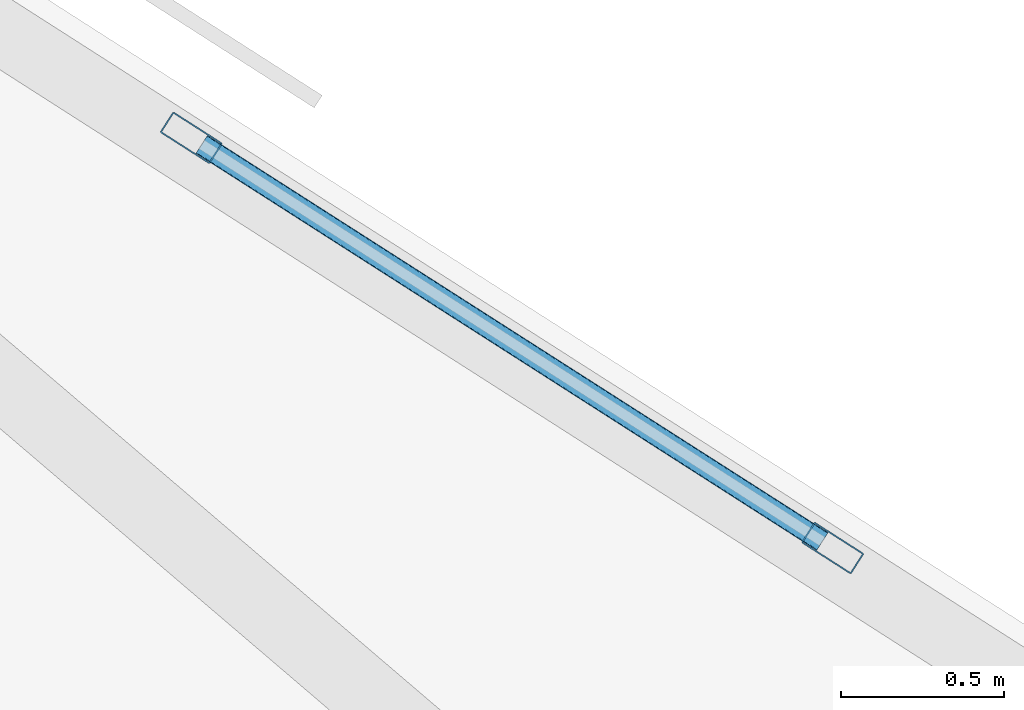
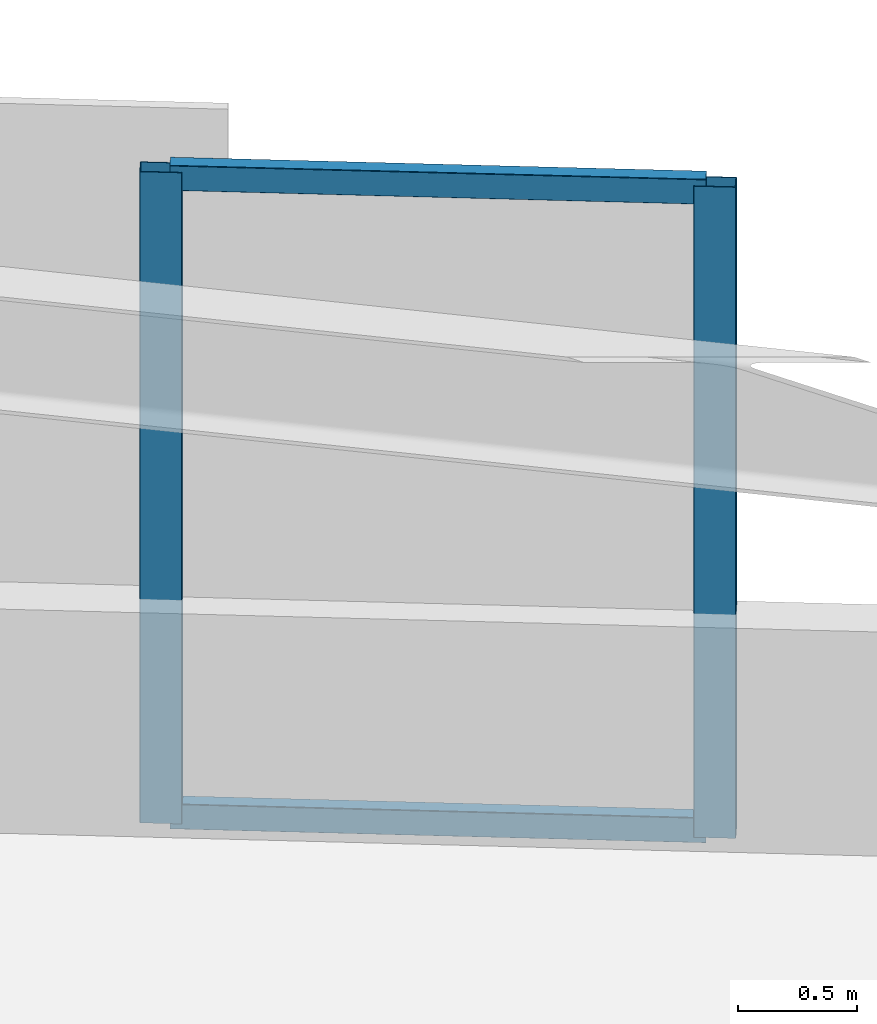
# One storey, part 2 of 15: 4 members, 1 element without a shape of its own.
"""IFC4 building model written with IfcOpenShell, lengths in metres."""

import ifcopenshell
import ifcopenshell.guid

model = None  # the IFC model being written
_history = None  # IfcOwnerHistory: only IFC2X3 demands one
_inside = {}  # id of a spatial element -> (the spatial element, [elements in it])
_under = {}  # id of a project, library or spatial element -> (it, [spatial elements below it])
_declared = {}  # id of a project -> (the project, [libraries it declares])
_typed = {}  # id of a type object -> (the type object, [elements of that type])
_made_of = {}  # id of a material, layer set ... -> (it, [elements and type objects made of it])


def new_model(schema):
    """Start an empty IFC model of exactly this schema.

    Asked for "IFC4X3", IfcOpenShell would pick the latest addendum, in which some entities
    have other attributes; the version numbers below select the first issue.
    IFC2X3 requires an IfcOwnerHistory on every rooted entity: one is made here for all.
    """
    global model, _history
    if schema == "IFC4X3":
        model = ifcopenshell.file(schema_version=(4, 3, 0, 0))
    else:
        model = ifcopenshell.file(schema=schema)
    _inside.clear()
    _under.clear()
    _declared.clear()
    _typed.clear()
    _made_of.clear()
    _history = None
    if model.schema == "IFC2X3":
        org = make("IfcOrganization", Name="unknown")
        user = make(
            "IfcPersonAndOrganization",
            ThePerson=make("IfcPerson", FamilyName="unknown"),
            TheOrganization=org,
        )
        app = make(
            "IfcApplication",
            ApplicationDeveloper=org,
            Version="unknown",
            ApplicationFullName="unknown",
            ApplicationIdentifier="unknown",
        )
        _history = make(
            "IfcOwnerHistory",
            OwningUser=user,
            OwningApplication=app,
            ChangeAction="ADDED",
            CreationDate=0,
        )
    return model


def make(cls, **values):
    """One entity of the class cls with the attributes given. An attribute that is None is left unset."""
    return model.create_entity(
        cls, **{name: value for name, value in values.items() if value is not None}
    )


def rooted(cls, **values):
    """An entity with a GlobalId (a new one), such as an element, a storey or a relation."""
    return make(cls, GlobalId=ifcopenshell.guid.new(), OwnerHistory=_history, **values)


def si_unit(unit_type, name, prefix=None):
    """IfcSIUnit, for example si_unit("LENGTHUNIT", "METRE", prefix="MILLI")."""
    return make("IfcSIUnit", UnitType=unit_type, Prefix=prefix, Name=name)


def assignment(units):
    """IfcUnitAssignment: the units of a project."""
    return None if units is None else make("IfcUnitAssignment", Units=units)


def point(xyz):
    """IfcCartesianPoint."""
    return None if xyz is None else make("IfcCartesianPoint", Coordinates=xyz)


def direction(xyz):
    """IfcDirection."""
    return None if xyz is None else make("IfcDirection", DirectionRatios=xyz)


def frame(location, z_axis=None, x_axis=None):
    """IfcAxis2Placement3D, a coordinate frame: its origin and axes. An axis left out is left unset."""
    return make(
        "IfcAxis2Placement3D",
        Location=point(location),
        Axis=direction(z_axis),
        RefDirection=direction(x_axis),
    )


def frame_2d(location, x_axis=None):
    """IfcAxis2Placement2D, a coordinate frame in the plane: its origin and x axis."""
    return make(
        "IfcAxis2Placement2D", Location=point(location), RefDirection=direction(x_axis)
    )


def origin():
    """The frame at (0, 0, 0) with its axes left unset."""
    return frame((0.0, 0.0, 0.0))


def origin_2d():
    """The frame at (0, 0) in the plane with its x axis left unset."""
    return frame_2d((0.0, 0.0))


def place(relative_to, where):
    """IfcLocalPlacement: puts the frame where relative to a parent placement (None: the world)."""
    return make(
        "IfcLocalPlacement", PlacementRelTo=relative_to, RelativePlacement=where
    )


def context(
    kind, dimensions, precision=None, world=None, true_north=None, identifier=None
):
    """IfcGeometricRepresentationContext, for example the 3D "Model" context."""
    return make(
        "IfcGeometricRepresentationContext",
        ContextIdentifier=identifier,
        ContextType=kind,
        CoordinateSpaceDimension=dimensions,
        Precision=precision,
        WorldCoordinateSystem=world,
        TrueNorth=true_north,
    )


def subcontext(parent, identifier, kind, view, scale=None):
    """IfcGeometricRepresentationSubContext, for example "Body" below "Model"."""
    return make(
        "IfcGeometricRepresentationSubContext",
        ContextIdentifier=identifier,
        ContextType=kind,
        ParentContext=parent,
        TargetScale=scale,
        TargetView=view,
    )


def project(units=None, contexts=None):
    """IfcProject with its units and contexts."""
    return rooted(
        "IfcProject",
        Name="project",
        RepresentationContexts=contexts,
        UnitsInContext=assignment(units),
    )


def spatial(cls, under=None, at=None, **own):
    """A site, building, storey or space (cls), placed at a placement, below another one or the project."""
    s = rooted(cls, ObjectPlacement=at, **own)
    if under is not None:
        _under.setdefault(under.id(), (under, []))[1].append(s)
    return s


def profile(cls, at=None, kind="AREA", **sizes):
    """A parametric profile (cls). Its sizes go by their IFC names, for example OverallWidth=200.0."""
    return make(cls, ProfileType=kind, Position=at, **sizes)


def hollow_rectangle(**sizes):
    """IfcRectangleHollowProfileDef."""
    return profile("IfcRectangleHollowProfileDef", **sizes)


def extrude(swept, where, along, depth):
    """IfcExtrudedAreaSolid: the profile swept, set in the frame where, extruded along a direction by depth."""
    return make(
        "IfcExtrudedAreaSolid",
        SweptArea=swept,
        Position=where,
        ExtrudedDirection=direction(along),
        Depth=depth,
    )


def shape(context_of_items, identifier, shape_type, items):
    """IfcShapeRepresentation: the items that make up one representation, for example the "Body"."""
    return make(
        "IfcShapeRepresentation",
        ContextOfItems=context_of_items,
        RepresentationIdentifier=identifier,
        RepresentationType=shape_type,
        Items=items,
    )


def material(Name=None, Category=None):
    """IfcMaterial."""
    return make("IfcMaterial", Name=Name, Category=Category)


def material_profile(
    of_material, cross_section, Name=None, Category=None, Priority=None
):
    """IfcMaterialProfile: a cross section and its material."""
    return make(
        "IfcMaterialProfile",
        Name=Name,
        Material=of_material,
        Profile=cross_section,
        Priority=Priority,
        Category=Category,
    )


def profile_set(profiles, Name=None, composite=None):
    """IfcMaterialProfileSet."""
    return make(
        "IfcMaterialProfileSet",
        Name=Name,
        MaterialProfiles=profiles,
        CompositeProfile=composite,
    )


def made_of(thing, what):
    """Note that an element or type object is made of a material, layer set ...; save() writes the relation."""
    if what is not None:
        _made_of.setdefault(what.id(), (what, []))[1].append(thing)
    return thing


def type_object(cls, material=None, **own):
    """A type object (cls), such as IfcWallType, which elements share."""
    return made_of(rooted(cls, **own), material)


def element(
    cls,
    number,
    at=None,
    inside=None,
    cuts=None,
    type_object=None,
    material=None,
    context=None,
    identifier="Body",
    shape_type=None,
    held_by="IfcProductDefinitionShape",
    body=None,
    shapes=None,
    **own,
):
    """One element of the class cls, such as IfcWall. Its Tag is "e" and its number.

    at: its placement. inside: the storey or other place that contains it. cuts: it is an
    opening in that element (IfcRelVoidsElement). A single representation is given by context,
    identifier, shape_type and body (its items); several are given by shapes. held_by: the class
    of the entity that holds the representations. save() writes the other relations.
    """
    e = rooted(cls, Tag="e%d" % number, ObjectPlacement=at, **own)
    if body is not None:
        shapes = [shape(context, identifier, shape_type, body)]
    if shapes is not None:
        e.Representation = make(held_by, Representations=shapes)
    if inside is not None:
        _inside.setdefault(inside.id(), (inside, []))[1].append(e)
    if cuts is not None:
        rooted(
            "IfcRelVoidsElement", RelatingBuildingElement=cuts, RelatedOpeningElement=e
        )
    if type_object is not None:
        _typed.setdefault(type_object.id(), (type_object, []))[1].append(e)
    return made_of(e, material)


def aggregate(whole, parts):
    """IfcRelAggregates: a whole, such as a stair, and the parts it consists of."""
    return rooted("IfcRelAggregates", RelatingObject=whole, RelatedObjects=parts)


def save(model, path):
    """Write the relations noted so far, then the file.

    IfcRelAggregates (storeys below a building ...), IfcRelContainedInSpatialStructure (elements
    in a storey), IfcRelDefinesByType, IfcRelAssociatesMaterial and IfcRelDeclares: one each for
    every whole, place, type object, material and project.
    """
    for whole, parts in _under.values():
        aggregate(whole, parts)
    for where, things in _inside.values():
        rooted(
            "IfcRelContainedInSpatialStructure",
            RelatedElements=things,
            RelatingStructure=where,
        )
    for kind, things in _typed.values():
        rooted("IfcRelDefinesByType", RelatedObjects=things, RelatingType=kind)
    for what, things in _made_of.values():
        rooted("IfcRelAssociatesMaterial", RelatedObjects=things, RelatingMaterial=what)
    for by, libraries in _declared.values():
        rooted("IfcRelDeclares", RelatingContext=by, RelatedDefinitions=libraries)
    model.write(path)


model = new_model("IFC4")

# Units and contexts
model_context = context("Model", 3, precision=1e-05, world=origin(), true_north=direction((0.0, 1.0)))
body_context = subcontext(model_context, "Body", "Model", "MODEL_VIEW")
ifc_project = project(units=[si_unit("LENGTHUNIT", "METRE"), si_unit("AREAUNIT", "SQUARE_METRE"), si_unit("VOLUMEUNIT", "CUBIC_METRE"), si_unit("PLANEANGLEUNIT", "RADIAN"), si_unit("MASSUNIT", "GRAM", prefix="KILO")], contexts=[model_context])

# Site, building, storey
site_placement = place(None, origin())
site = spatial("IfcSite", under=ifc_project, at=site_placement, CompositionType="ELEMENT")
building_placement = place(site_placement, origin())
building = spatial("IfcBuilding", under=site, at=building_placement, Name="Narakoshi Arena Tower", CompositionType="ELEMENT")
storey_placement = place(building_placement, frame((0.0, 0.0, 70.5)))
storey = spatial("IfcBuildingStorey", under=building, at=storey_placement, Name="L18", CompositionType="ELEMENT", Elevation=70.5)

# Curtain wall, members
ifc_material = material(Name="Anodised bronze aluminium 6063-T6", Category="aluminium")
curtain_wall_type = type_object("IfcCurtainWallType", Name="CW-HYP-LOW", PredefinedType="NOTDEFINED", material=ifc_material)
curtain_wall_placement = place(storey_placement, origin())
curtain_wall = element("IfcCurtainWall", 1, at=curtain_wall_placement, inside=storey, type_object=curtain_wall_type, Name="L18 Folded Hypotenuse Curtain Wall 2-1", PredefinedType="NOTDEFINED")
ifc_material_profile_1 = material_profile(ifc_material, hollow_rectangle(XDim=0.074951171875, YDim=0.179931640625, WallThickness=0.00390625, OuterFilletRadius=0.0048828125, at=origin_2d()), Name="MUL180x75x4")
ifc_profile_set_1 = profile_set([ifc_material_profile_1], Name="Anodised bronze aluminium 6063-T6")
member_type_1 = type_object("IfcMemberType", Name="MEM-MUL-180", PredefinedType="MULLION", material=ifc_profile_set_1)
member_1_placement = place(storey_placement, frame((91.90234375, 60.801025390625, 0.0), z_axis=(0.0, 0.0, 1.0), x_axis=(-0.538822365864, -0.842419407448, 0.0)))
member_1 = element("IfcMember", 2, at=member_1_placement, type_object=member_type_1, Name="CW-01 mullion 1", PredefinedType="MULLION", context=body_context, shape_type="SweptSolid", body=[
    extrude(hollow_rectangle(XDim=0.074951171875, YDim=0.179931640625, WallThickness=0.00390625, OuterFilletRadius=0.0048828125, at=origin_2d()), origin(), (0.0, 0.0, 1.0), 3.340087890625),
])
member_2_placement = place(storey_placement, frame((89.93994140625, 62.056396484375, 0.0), z_axis=(0.0, 0.0, 1.0), x_axis=(-0.538822365864, -0.842419407448, 0.0)))
member_2 = element("IfcMember", 3, at=member_2_placement, type_object=member_type_1, Name="CW-01 mullion 2", PredefinedType="MULLION", context=body_context, shape_type="SweptSolid", body=[
    extrude(hollow_rectangle(XDim=0.074951171875, YDim=0.179931640625, WallThickness=0.00390625, OuterFilletRadius=0.0048828125, at=origin_2d()), origin(), (0.0, 0.0, 1.0), 3.340087890625),
])
ifc_material_profile_2 = material_profile(ifc_material, hollow_rectangle(XDim=0.06494140625, YDim=0.1298828125, WallThickness=0.00390625, OuterFilletRadius=0.0048828125, at=origin_2d()), Name="TRN130x65x4")
ifc_profile_set_2 = profile_set([ifc_material_profile_2], Name="Anodised bronze aluminium 6063-T6")
member_type_2 = type_object("IfcMemberType", Name="MEM-TRN-130", PredefinedType="USERDEFINED", material=ifc_profile_set_2)
member_3_placement = place(storey_placement, frame((91.870849609375, 60.8212890625, 0.032470703125), z_axis=(-0.842397246246, 0.538857012125, 0.0), x_axis=(-0.538857012125, -0.842397246246, 0.0)))
member_3 = element("IfcMember", 4, at=member_3_placement, type_object=member_type_2, Name="CW-01 transom 1.1", ObjectType="TRANSOM", PredefinedType="USERDEFINED", context=body_context, shape_type="SweptSolid", body=[
    extrude(hollow_rectangle(XDim=0.06494140625, YDim=0.1298828125, WallThickness=0.00390625, OuterFilletRadius=0.0048828125, at=origin_2d()), origin(), (0.0, 0.0, 1.0), 2.25439453125),
])
member_4_placement = place(storey_placement, frame((91.870849609375, 60.8212890625, 3.3076171875), z_axis=(-0.842397246246, 0.538857012125, 0.0), x_axis=(-0.538857012125, -0.842397246246, 0.0)))
member_4 = element("IfcMember", 5, at=member_4_placement, type_object=member_type_2, Name="CW-01 transom 1.2", ObjectType="TRANSOM", PredefinedType="USERDEFINED", context=body_context, shape_type="SweptSolid", body=[
    extrude(hollow_rectangle(XDim=0.06494140625, YDim=0.1298828125, WallThickness=0.00390625, OuterFilletRadius=0.0048828125, at=origin_2d()), origin(), (0.0, 0.0, 1.0), 2.25439453125),
])
aggregate(curtain_wall, [member_1, member_2, member_3, member_4])

save(model, "model.ifc")
